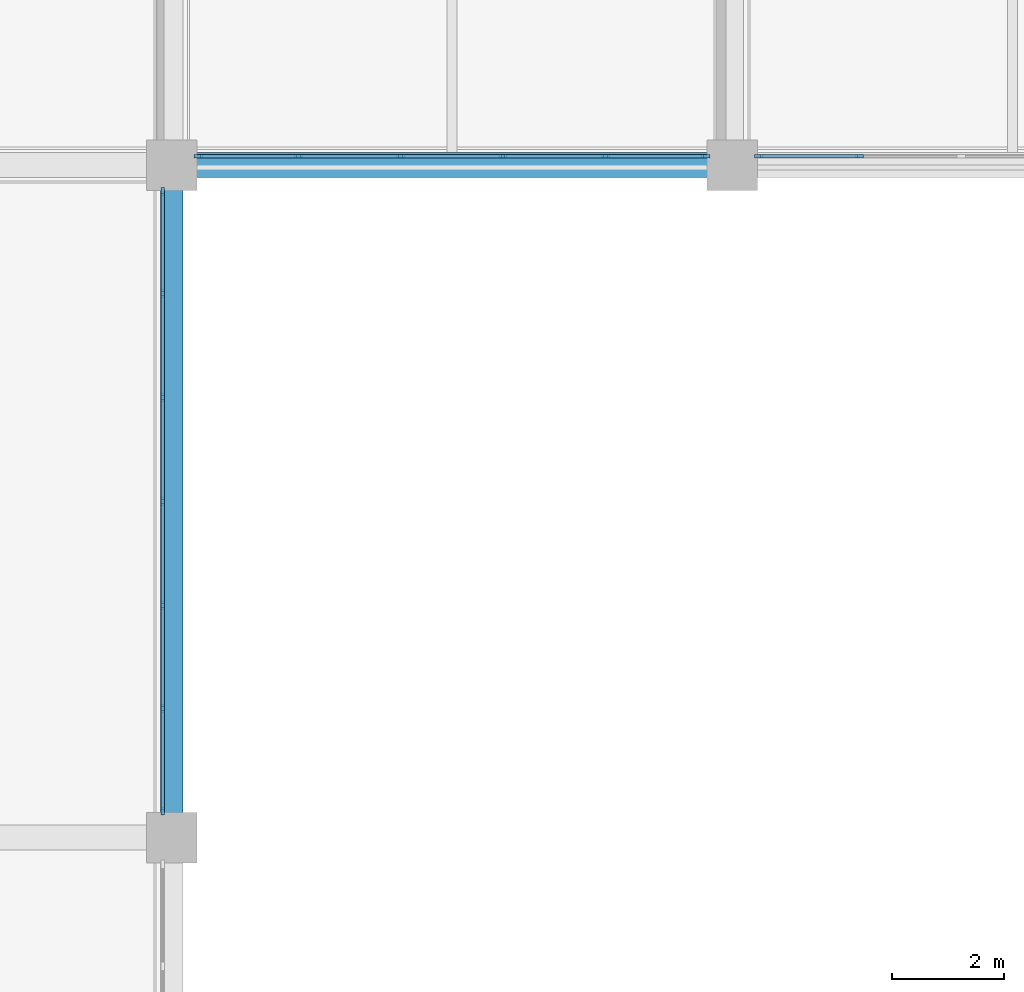
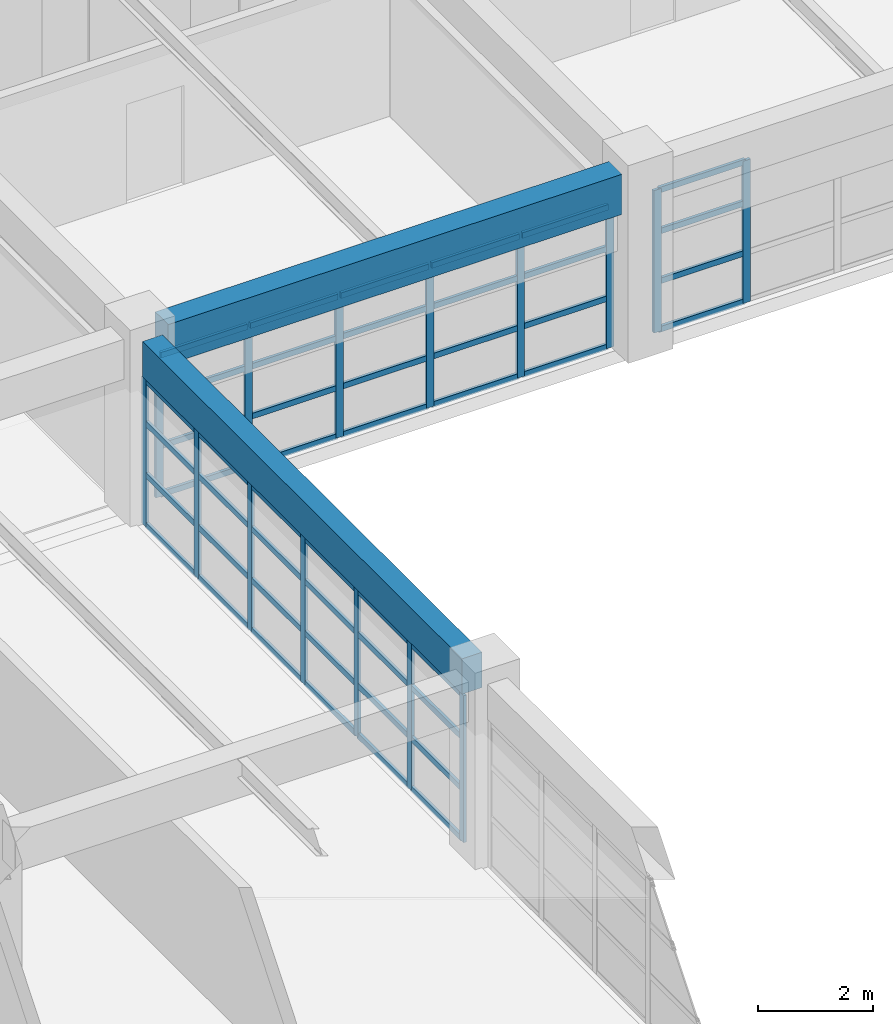
# One storey, part 57 of 100: 63 members, 2 beams, 3 elements without a shape of their own.
"""IFC4 building model written with IfcOpenShell, lengths in metres."""

from ifc_helpers import new_model, si_unit, direction, frame, origin, origin_2d, place, context, subcontext, project, spatial, rectangle, extrude, material, layer, layer_set, material_profile, profile_set, type_object, element, aggregate, save


model = new_model("IFC4")

# Units and contexts
model_context = context("Model", 3, precision=1e-05, world=origin(), true_north=direction((0.0, 1.0)))
body_context = subcontext(model_context, "Body", "Model", "MODEL_VIEW")
ifc_project = project(units=[si_unit("LENGTHUNIT", "METRE"), si_unit("AREAUNIT", "SQUARE_METRE"), si_unit("VOLUMEUNIT", "CUBIC_METRE"), si_unit("PLANEANGLEUNIT", "RADIAN"), si_unit("MASSUNIT", "GRAM", prefix="KILO")], contexts=[model_context])

# Site, building, storey
site_placement = place(None, origin())
site = spatial("IfcSite", under=ifc_project, at=site_placement, CompositionType="ELEMENT")
building_placement = place(site_placement, origin())
building = spatial("IfcBuilding", under=site, at=building_placement, Name="Kivolera Central Railway Station", CompositionType="ELEMENT")
storey_placement = place(building_placement, frame((0.0, 0.0, 5.39990234375)))
storey = spatial("IfcBuildingStorey", under=building, at=storey_placement, Name="L01", CompositionType="ELEMENT", Elevation=5.39990234375)

# Beams
ifc_material_1 = material(Name="Concrete C40/50", Category="concrete")
ifc_material_profile_1 = material_profile(ifc_material_1, rectangle(XDim=0.39990234375, YDim=0.75, at=origin_2d()), Name="RC 400x750")
ifc_profile_set_1 = profile_set([ifc_material_profile_1], Name="Concrete C40/50")
beam_type_1 = type_object("IfcBeamType", Name="BM-RC-400x750", PredefinedType="BEAM", material=ifc_profile_set_1)
beam_1_placement = place(storey_placement, frame((138.0, 102.44189453125, 3.505126953125), z_axis=(0.0, 1.0, 0.0), x_axis=(-1.0, 0.0, 0.0)))
element("IfcBeam", 1, at=beam_1_placement, inside=storey, type_object=beam_type_1, Name="L01 Wing Y-Beam 14:J-K", PredefinedType="BEAM", context=body_context, shape_type="SweptSolid", body=[
    extrude(rectangle(XDim=0.39990234375, YDim=0.75, at=origin_2d()), origin(), (0.0, 0.0, 1.0), 11.1162109375),
])
ifc_material_profile_2 = material_profile(ifc_material_1, rectangle(XDim=0.449951171875, YDim=0.85009765625, at=origin_2d()), Name="RC 450x850")
ifc_profile_set_2 = profile_set([ifc_material_profile_2], Name="Concrete C40/50")
beam_type_2 = type_object("IfcBeamType", Name="BM-RC-450x850", PredefinedType="BEAM", material=ifc_profile_set_2)
beam_2_placement = place(storey_placement, frame((138.44189453125, 114.0, 3.455078125), z_axis=(1.0, 0.0, 0.0), x_axis=(0.0, 1.0, 0.0)))
element("IfcBeam", 2, at=beam_2_placement, inside=storey, type_object=beam_type_2, Name="L01 Wing X-Beam K:14-15", PredefinedType="BEAM", context=body_context, shape_type="SweptSolid", body=[
    extrude(rectangle(XDim=0.449951171875, YDim=0.85009765625, at=origin_2d()), origin(), (0.0, 0.0, 1.0), 9.1162109375),
])

# Curtain wall, members
ifc_material_2 = material(Name="Anodised aluminium", Category="aluminium")
ifc_layer_1 = layer(ifc_material_2, 0.179931640625, Name="Anodised aluminium")
ifc_layer_set_1 = layer_set([ifc_layer_1], Name="Anodised aluminium")
curtain_wall_type_1 = type_object("IfcCurtainWallType", Name="CW-SYS-24", PredefinedType="NOTDEFINED", material=ifc_layer_set_1)
curtain_wall_1_placement = place(storey_placement, origin())
curtain_wall_1 = element("IfcCurtainWall", 3, at=curtain_wall_1_placement, inside=storey, type_object=curtain_wall_type_1, Name="L01 Curtain Wall CW-L01-CRTN-138", PredefinedType="NOTDEFINED")
ifc_material_profile_3 = material_profile(ifc_material_2, rectangle(XDim=0.06005859375, YDim=0.14990234375, at=origin_2d()), Name="ALU MULL 60x150")
ifc_profile_set_3 = profile_set([ifc_material_profile_3], Name="Anodised aluminium")
member_type_1 = type_object("IfcMemberType", Name="CWM-MUL-2", PredefinedType="MULLION", material=ifc_profile_set_3)
member_1_placement = place(storey_placement, frame((147.52490234375, 114.159912109375, -0.0048828125), z_axis=(0.0, 0.0, 1.0), x_axis=(0.0, -1.0, 0.0)))
member_1 = element("IfcMember", 4, at=member_1_placement, type_object=member_type_1, Name="CW-24 mullion 1", PredefinedType="MULLION", context=body_context, shape_type="SweptSolid", body=[
    extrude(rectangle(XDim=0.06005859375, YDim=0.14990234375, at=origin_2d()), origin(), (0.0, 0.0, 1.0), 3.02294921875),
])
member_2_placement = place(storey_placement, frame((145.73291015625, 114.159912109375, -0.0048828125), z_axis=(0.0, 0.0, 1.0), x_axis=(0.0, -1.0, 0.0)))
member_2 = element("IfcMember", 5, at=member_2_placement, type_object=member_type_1, Name="CW-24 mullion 2", PredefinedType="MULLION", context=body_context, shape_type="SweptSolid", body=[
    extrude(rectangle(XDim=0.06005859375, YDim=0.14990234375, at=origin_2d()), origin(), (0.0, 0.0, 1.0), 3.02294921875),
])
member_3_placement = place(storey_placement, frame((143.910888671875, 114.159912109375, -0.0048828125), z_axis=(0.0, 0.0, 1.0), x_axis=(0.0, -1.0, 0.0)))
member_3 = element("IfcMember", 6, at=member_3_placement, type_object=member_type_1, Name="CW-24 mullion 3", PredefinedType="MULLION", context=body_context, shape_type="SweptSolid", body=[
    extrude(rectangle(XDim=0.06005859375, YDim=0.14990234375, at=origin_2d()), origin(), (0.0, 0.0, 1.0), 3.02294921875),
])
member_4_placement = place(storey_placement, frame((142.089111328125, 114.159912109375, -0.0048828125), z_axis=(0.0, 0.0, 1.0), x_axis=(0.0, -1.0, 0.0)))
member_4 = element("IfcMember", 7, at=member_4_placement, type_object=member_type_1, Name="CW-24 mullion 4", PredefinedType="MULLION", context=body_context, shape_type="SweptSolid", body=[
    extrude(rectangle(XDim=0.06005859375, YDim=0.14990234375, at=origin_2d()), origin(), (0.0, 0.0, 1.0), 3.02294921875),
])
member_5_placement = place(storey_placement, frame((140.26708984375, 114.159912109375, -0.0048828125), z_axis=(0.0, 0.0, 1.0), x_axis=(0.0, -1.0, 0.0)))
member_5 = element("IfcMember", 8, at=member_5_placement, type_object=member_type_1, Name="CW-24 mullion 5", PredefinedType="MULLION", context=body_context, shape_type="SweptSolid", body=[
    extrude(rectangle(XDim=0.06005859375, YDim=0.14990234375, at=origin_2d()), origin(), (0.0, 0.0, 1.0), 3.02294921875),
])
member_6_placement = place(storey_placement, frame((138.47509765625, 114.159912109375, -0.0048828125), z_axis=(0.0, 0.0, 1.0), x_axis=(0.0, -1.0, 0.0)))
member_6 = element("IfcMember", 9, at=member_6_placement, type_object=member_type_1, Name="CW-24 mullion 6", PredefinedType="MULLION", context=body_context, shape_type="SweptSolid", body=[
    extrude(rectangle(XDim=0.06005859375, YDim=0.14990234375, at=origin_2d()), origin(), (0.0, 0.0, 1.0), 3.02294921875),
])

curtain_wall_2_placement = place(storey_placement, origin())
curtain_wall_2 = element("IfcCurtainWall", 10, at=curtain_wall_2_placement, inside=storey, type_object=curtain_wall_type_1, Name="L01 Curtain Wall CW-L01-CRTN-148", PredefinedType="NOTDEFINED")
member_7_placement = place(storey_placement, frame((150.26708984375, 114.159912109375, -0.0048828125), z_axis=(0.0, 0.0, 1.0), x_axis=(0.0, -1.0, 0.0)))
member_7 = element("IfcMember", 11, at=member_7_placement, type_object=member_type_1, Name="CW-24 mullion 5", PredefinedType="MULLION", context=body_context, shape_type="SweptSolid", body=[
    extrude(rectangle(XDim=0.06005859375, YDim=0.14990234375, at=origin_2d()), origin(), (0.0, 0.0, 1.0), 3.02294921875),
])
member_8_placement = place(storey_placement, frame((148.47509765625, 114.159912109375, -0.0048828125), z_axis=(0.0, 0.0, 1.0), x_axis=(0.0, -1.0, 0.0)))
member_8 = element("IfcMember", 12, at=member_8_placement, type_object=member_type_1, Name="CW-24 mullion 6", PredefinedType="MULLION", context=body_context, shape_type="SweptSolid", body=[
    extrude(rectangle(XDim=0.06005859375, YDim=0.14990234375, at=origin_2d()), origin(), (0.0, 0.0, 1.0), 3.02294921875),
])

ifc_layer_2 = layer(ifc_material_2, 0.179931640625, Name="Anodised aluminium")
ifc_layer_set_2 = layer_set([ifc_layer_2], Name="Anodised aluminium")
curtain_wall_type_2 = type_object("IfcCurtainWallType", Name="CW-SYS-25", PredefinedType="NOTDEFINED", material=ifc_layer_set_2)
curtain_wall_3_placement = place(storey_placement, origin())
curtain_wall_3 = element("IfcCurtainWall", 13, at=curtain_wall_3_placement, inside=storey, type_object=curtain_wall_type_2, Name="L01 Curtain Wall CW-L01-CRTW-J", PredefinedType="NOTDEFINED")
member_9_placement = place(storey_placement, frame((137.840087890625, 113.52490234375, -0.0048828125), z_axis=(0.0, 0.0, 1.0), x_axis=(1.0, 0.0, 0.0)))
member_9 = element("IfcMember", 14, at=member_9_placement, type_object=member_type_1, Name="CW-25 mullion 1", PredefinedType="MULLION", context=body_context, shape_type="SweptSolid", body=[
    extrude(rectangle(XDim=0.06005859375, YDim=0.14990234375, at=origin_2d()), origin(), (0.0, 0.0, 1.0), 3.123046875),
])
member_10_placement = place(storey_placement, frame((137.840087890625, 111.703369140625, -0.0048828125), z_axis=(0.0, 0.0, 1.0), x_axis=(1.0, 0.0, 0.0)))
member_10 = element("IfcMember", 15, at=member_10_placement, type_object=member_type_1, Name="CW-25 mullion 2", PredefinedType="MULLION", context=body_context, shape_type="SweptSolid", body=[
    extrude(rectangle(XDim=0.06005859375, YDim=0.14990234375, at=origin_2d()), origin(), (0.0, 0.0, 1.0), 3.123046875),
])
member_11_placement = place(storey_placement, frame((137.840087890625, 109.8515625, -0.0048828125), z_axis=(0.0, 0.0, 1.0), x_axis=(1.0, 0.0, 0.0)))
member_11 = element("IfcMember", 16, at=member_11_placement, type_object=member_type_1, Name="CW-25 mullion 3", PredefinedType="MULLION", context=body_context, shape_type="SweptSolid", body=[
    extrude(rectangle(XDim=0.06005859375, YDim=0.14990234375, at=origin_2d()), origin(), (0.0, 0.0, 1.0), 3.123046875),
])
member_12_placement = place(storey_placement, frame((137.840087890625, 108.0, -0.0048828125), z_axis=(0.0, 0.0, 1.0), x_axis=(1.0, 0.0, 0.0)))
member_12 = element("IfcMember", 17, at=member_12_placement, type_object=member_type_1, Name="CW-25 mullion 4", PredefinedType="MULLION", context=body_context, shape_type="SweptSolid", body=[
    extrude(rectangle(XDim=0.06005859375, YDim=0.14990234375, at=origin_2d()), origin(), (0.0, 0.0, 1.0), 3.123046875),
])
member_13_placement = place(storey_placement, frame((137.840087890625, 106.1484375, -0.0048828125), z_axis=(0.0, 0.0, 1.0), x_axis=(1.0, 0.0, 0.0)))
member_13 = element("IfcMember", 18, at=member_13_placement, type_object=member_type_1, Name="CW-25 mullion 5", PredefinedType="MULLION", context=body_context, shape_type="SweptSolid", body=[
    extrude(rectangle(XDim=0.06005859375, YDim=0.14990234375, at=origin_2d()), origin(), (0.0, 0.0, 1.0), 3.123046875),
])
member_14_placement = place(storey_placement, frame((137.840087890625, 104.296630859375, -0.0048828125), z_axis=(0.0, 0.0, 1.0), x_axis=(1.0, 0.0, 0.0)))
member_14 = element("IfcMember", 19, at=member_14_placement, type_object=member_type_1, Name="CW-25 mullion 6", PredefinedType="MULLION", context=body_context, shape_type="SweptSolid", body=[
    extrude(rectangle(XDim=0.06005859375, YDim=0.14990234375, at=origin_2d()), origin(), (0.0, 0.0, 1.0), 3.123046875),
])
member_15_placement = place(storey_placement, frame((137.840087890625, 102.47509765625, -0.0048828125), z_axis=(0.0, 0.0, 1.0), x_axis=(1.0, 0.0, 0.0)))
member_15 = element("IfcMember", 20, at=member_15_placement, type_object=member_type_1, Name="CW-25 mullion 7", PredefinedType="MULLION", context=body_context, shape_type="SweptSolid", body=[
    extrude(rectangle(XDim=0.06005859375, YDim=0.14990234375, at=origin_2d()), origin(), (0.0, 0.0, 1.0), 3.123046875),
])

# Member
ifc_material_profile_4 = material_profile(ifc_material_2, rectangle(XDim=0.06005859375, YDim=0.1201171875, at=origin_2d()), Name="ALU TRAN 60x120")
ifc_profile_set_4 = profile_set([ifc_material_profile_4], Name="Anodised aluminium")
member_type_2 = type_object("IfcMemberType", Name="CWM-TRN-2", PredefinedType="USERDEFINED", material=ifc_profile_set_4)
member_16_placement = place(storey_placement, frame((147.4951171875, 114.159912109375, 0.030029296875), z_axis=(-1.0, 0.0, 0.0), x_axis=(0.0, -1.0, 0.0)))
member_16 = element("IfcMember", 21, at=member_16_placement, type_object=member_type_2, Name="CW-24 transom 1.1", ObjectType="TRANSOM", PredefinedType="USERDEFINED", context=body_context, shape_type="SweptSolid", body=[
    extrude(rectangle(XDim=0.06005859375, YDim=0.1201171875, at=origin_2d()), origin(), (0.0, 0.0, 1.0), 1.732177734375),
])

member_17_placement = place(storey_placement, frame((147.4951171875, 114.159912109375, 1.056396484375), z_axis=(-1.0, 0.0, 0.0), x_axis=(0.0, -1.0, 0.0)))
member_17 = element("IfcMember", 22, at=member_17_placement, type_object=member_type_2, Name="CW-24 transom 1.2", ObjectType="TRANSOM", PredefinedType="USERDEFINED", context=body_context, shape_type="SweptSolid", body=[
    extrude(rectangle(XDim=0.06005859375, YDim=0.1201171875, at=origin_2d()), origin(), (0.0, 0.0, 1.0), 1.732177734375),
])

member_18_placement = place(storey_placement, frame((147.4951171875, 114.159912109375, 2.11279296875), z_axis=(-1.0, 0.0, 0.0), x_axis=(0.0, -1.0, 0.0)))
member_18 = element("IfcMember", 23, at=member_18_placement, type_object=member_type_2, Name="CW-24 transom 1.3", ObjectType="TRANSOM", PredefinedType="USERDEFINED", context=body_context, shape_type="SweptSolid", body=[
    extrude(rectangle(XDim=0.06005859375, YDim=0.1201171875, at=origin_2d()), origin(), (0.0, 0.0, 1.0), 1.732177734375),
])

member_19_placement = place(storey_placement, frame((147.4951171875, 114.159912109375, 2.988037109375), z_axis=(-1.0, 0.0, 0.0), x_axis=(0.0, -1.0, 0.0)))
member_19 = element("IfcMember", 24, at=member_19_placement, type_object=member_type_2, Name="CW-24 transom 1.4", ObjectType="TRANSOM", PredefinedType="USERDEFINED", context=body_context, shape_type="SweptSolid", body=[
    extrude(rectangle(XDim=0.06005859375, YDim=0.1201171875, at=origin_2d()), origin(), (0.0, 0.0, 1.0), 1.732177734375),
])

member_20_placement = place(storey_placement, frame((145.702880859375, 114.159912109375, 0.030029296875), z_axis=(-1.0, 0.0, 0.0), x_axis=(0.0, -1.0, 0.0)))
member_20 = element("IfcMember", 25, at=member_20_placement, type_object=member_type_2, Name="CW-24 transom 2.1", ObjectType="TRANSOM", PredefinedType="USERDEFINED", context=body_context, shape_type="SweptSolid", body=[
    extrude(rectangle(XDim=0.06005859375, YDim=0.1201171875, at=origin_2d()), origin(), (0.0, 0.0, 1.0), 1.761962890625),
])

member_21_placement = place(storey_placement, frame((145.702880859375, 114.159912109375, 1.056396484375), z_axis=(-1.0, 0.0, 0.0), x_axis=(0.0, -1.0, 0.0)))
member_21 = element("IfcMember", 26, at=member_21_placement, type_object=member_type_2, Name="CW-24 transom 2.2", ObjectType="TRANSOM", PredefinedType="USERDEFINED", context=body_context, shape_type="SweptSolid", body=[
    extrude(rectangle(XDim=0.06005859375, YDim=0.1201171875, at=origin_2d()), origin(), (0.0, 0.0, 1.0), 1.761962890625),
])

member_22_placement = place(storey_placement, frame((145.702880859375, 114.159912109375, 2.11279296875), z_axis=(-1.0, 0.0, 0.0), x_axis=(0.0, -1.0, 0.0)))
member_22 = element("IfcMember", 27, at=member_22_placement, type_object=member_type_2, Name="CW-24 transom 2.3", ObjectType="TRANSOM", PredefinedType="USERDEFINED", context=body_context, shape_type="SweptSolid", body=[
    extrude(rectangle(XDim=0.06005859375, YDim=0.1201171875, at=origin_2d()), origin(), (0.0, 0.0, 1.0), 1.761962890625),
])

member_23_placement = place(storey_placement, frame((145.702880859375, 114.159912109375, 2.988037109375), z_axis=(-1.0, 0.0, 0.0), x_axis=(0.0, -1.0, 0.0)))
member_23 = element("IfcMember", 28, at=member_23_placement, type_object=member_type_2, Name="CW-24 transom 2.4", ObjectType="TRANSOM", PredefinedType="USERDEFINED", context=body_context, shape_type="SweptSolid", body=[
    extrude(rectangle(XDim=0.06005859375, YDim=0.1201171875, at=origin_2d()), origin(), (0.0, 0.0, 1.0), 1.761962890625),
])

member_24_placement = place(storey_placement, frame((143.881103515625, 114.159912109375, 0.030029296875), z_axis=(-1.0, 0.0, 0.0), x_axis=(0.0, -1.0, 0.0)))
member_24 = element("IfcMember", 29, at=member_24_placement, type_object=member_type_2, Name="CW-24 transom 3.1", ObjectType="TRANSOM", PredefinedType="USERDEFINED", context=body_context, shape_type="SweptSolid", body=[
    extrude(rectangle(XDim=0.06005859375, YDim=0.1201171875, at=origin_2d()), origin(), (0.0, 0.0, 1.0), 1.76220703125),
])

member_25_placement = place(storey_placement, frame((143.881103515625, 114.159912109375, 1.056396484375), z_axis=(-1.0, 0.0, 0.0), x_axis=(0.0, -1.0, 0.0)))
member_25 = element("IfcMember", 30, at=member_25_placement, type_object=member_type_2, Name="CW-24 transom 3.2", ObjectType="TRANSOM", PredefinedType="USERDEFINED", context=body_context, shape_type="SweptSolid", body=[
    extrude(rectangle(XDim=0.06005859375, YDim=0.1201171875, at=origin_2d()), origin(), (0.0, 0.0, 1.0), 1.76220703125),
])

member_26_placement = place(storey_placement, frame((143.881103515625, 114.159912109375, 2.11279296875), z_axis=(-1.0, 0.0, 0.0), x_axis=(0.0, -1.0, 0.0)))
member_26 = element("IfcMember", 31, at=member_26_placement, type_object=member_type_2, Name="CW-24 transom 3.3", ObjectType="TRANSOM", PredefinedType="USERDEFINED", context=body_context, shape_type="SweptSolid", body=[
    extrude(rectangle(XDim=0.06005859375, YDim=0.1201171875, at=origin_2d()), origin(), (0.0, 0.0, 1.0), 1.76220703125),
])

member_27_placement = place(storey_placement, frame((143.881103515625, 114.159912109375, 2.988037109375), z_axis=(-1.0, 0.0, 0.0), x_axis=(0.0, -1.0, 0.0)))
member_27 = element("IfcMember", 32, at=member_27_placement, type_object=member_type_2, Name="CW-24 transom 3.4", ObjectType="TRANSOM", PredefinedType="USERDEFINED", context=body_context, shape_type="SweptSolid", body=[
    extrude(rectangle(XDim=0.06005859375, YDim=0.1201171875, at=origin_2d()), origin(), (0.0, 0.0, 1.0), 1.76220703125),
])

member_28_placement = place(storey_placement, frame((142.05908203125, 114.159912109375, 0.030029296875), z_axis=(-1.0, 0.0, 0.0), x_axis=(0.0, -1.0, 0.0)))
member_28 = element("IfcMember", 33, at=member_28_placement, type_object=member_type_2, Name="CW-24 transom 4.1", ObjectType="TRANSOM", PredefinedType="USERDEFINED", context=body_context, shape_type="SweptSolid", body=[
    extrude(rectangle(XDim=0.06005859375, YDim=0.1201171875, at=origin_2d()), origin(), (0.0, 0.0, 1.0), 1.761962890625),
])

member_29_placement = place(storey_placement, frame((142.05908203125, 114.159912109375, 1.056396484375), z_axis=(-1.0, 0.0, 0.0), x_axis=(0.0, -1.0, 0.0)))
member_29 = element("IfcMember", 34, at=member_29_placement, type_object=member_type_2, Name="CW-24 transom 4.2", ObjectType="TRANSOM", PredefinedType="USERDEFINED", context=body_context, shape_type="SweptSolid", body=[
    extrude(rectangle(XDim=0.06005859375, YDim=0.1201171875, at=origin_2d()), origin(), (0.0, 0.0, 1.0), 1.761962890625),
])

member_30_placement = place(storey_placement, frame((142.05908203125, 114.159912109375, 2.11279296875), z_axis=(-1.0, 0.0, 0.0), x_axis=(0.0, -1.0, 0.0)))
member_30 = element("IfcMember", 35, at=member_30_placement, type_object=member_type_2, Name="CW-24 transom 4.3", ObjectType="TRANSOM", PredefinedType="USERDEFINED", context=body_context, shape_type="SweptSolid", body=[
    extrude(rectangle(XDim=0.06005859375, YDim=0.1201171875, at=origin_2d()), origin(), (0.0, 0.0, 1.0), 1.761962890625),
])

member_31_placement = place(storey_placement, frame((142.05908203125, 114.159912109375, 2.988037109375), z_axis=(-1.0, 0.0, 0.0), x_axis=(0.0, -1.0, 0.0)))
member_31 = element("IfcMember", 36, at=member_31_placement, type_object=member_type_2, Name="CW-24 transom 4.4", ObjectType="TRANSOM", PredefinedType="USERDEFINED", context=body_context, shape_type="SweptSolid", body=[
    extrude(rectangle(XDim=0.06005859375, YDim=0.1201171875, at=origin_2d()), origin(), (0.0, 0.0, 1.0), 1.761962890625),
])

member_32_placement = place(storey_placement, frame((140.237060546875, 114.159912109375, 0.030029296875), z_axis=(-1.0, 0.0, 0.0), x_axis=(0.0, -1.0, 0.0)))
member_32 = element("IfcMember", 37, at=member_32_placement, type_object=member_type_2, Name="CW-24 transom 5.1", ObjectType="TRANSOM", PredefinedType="USERDEFINED", context=body_context, shape_type="SweptSolid", body=[
    extrude(rectangle(XDim=0.06005859375, YDim=0.1201171875, at=origin_2d()), origin(), (0.0, 0.0, 1.0), 1.732177734375),
])

member_33_placement = place(storey_placement, frame((140.237060546875, 114.159912109375, 1.056396484375), z_axis=(-1.0, 0.0, 0.0), x_axis=(0.0, -1.0, 0.0)))
member_33 = element("IfcMember", 38, at=member_33_placement, type_object=member_type_2, Name="CW-24 transom 5.2", ObjectType="TRANSOM", PredefinedType="USERDEFINED", context=body_context, shape_type="SweptSolid", body=[
    extrude(rectangle(XDim=0.06005859375, YDim=0.1201171875, at=origin_2d()), origin(), (0.0, 0.0, 1.0), 1.732177734375),
])

member_34_placement = place(storey_placement, frame((140.237060546875, 114.159912109375, 2.11279296875), z_axis=(-1.0, 0.0, 0.0), x_axis=(0.0, -1.0, 0.0)))
member_34 = element("IfcMember", 39, at=member_34_placement, type_object=member_type_2, Name="CW-24 transom 5.3", ObjectType="TRANSOM", PredefinedType="USERDEFINED", context=body_context, shape_type="SweptSolid", body=[
    extrude(rectangle(XDim=0.06005859375, YDim=0.1201171875, at=origin_2d()), origin(), (0.0, 0.0, 1.0), 1.732177734375),
])

member_35_placement = place(storey_placement, frame((140.237060546875, 114.159912109375, 2.988037109375), z_axis=(-1.0, 0.0, 0.0), x_axis=(0.0, -1.0, 0.0)))
member_35 = element("IfcMember", 40, at=member_35_placement, type_object=member_type_2, Name="CW-24 transom 5.4", ObjectType="TRANSOM", PredefinedType="USERDEFINED", context=body_context, shape_type="SweptSolid", body=[
    extrude(rectangle(XDim=0.06005859375, YDim=0.1201171875, at=origin_2d()), origin(), (0.0, 0.0, 1.0), 1.732177734375),
])

aggregate(curtain_wall_1, [member_1, member_2, member_3, member_4, member_5, member_6, member_16, member_17, member_18, member_19, member_20, member_21, member_22, member_23, member_24, member_25, member_26, member_27, member_28, member_29, member_30, member_31, member_32, member_33, member_34, member_35])

member_36_placement = place(storey_placement, frame((150.237060546875, 114.159912109375, 0.030029296875), z_axis=(-1.0, 0.0, 0.0), x_axis=(0.0, -1.0, 0.0)))
member_36 = element("IfcMember", 41, at=member_36_placement, type_object=member_type_2, Name="CW-24 transom 5.1", ObjectType="TRANSOM", PredefinedType="USERDEFINED", context=body_context, shape_type="SweptSolid", body=[
    extrude(rectangle(XDim=0.06005859375, YDim=0.1201171875, at=origin_2d()), origin(), (0.0, 0.0, 1.0), 1.732177734375),
])

member_37_placement = place(storey_placement, frame((150.237060546875, 114.159912109375, 1.056396484375), z_axis=(-1.0, 0.0, 0.0), x_axis=(0.0, -1.0, 0.0)))
member_37 = element("IfcMember", 42, at=member_37_placement, type_object=member_type_2, Name="CW-24 transom 5.2", ObjectType="TRANSOM", PredefinedType="USERDEFINED", context=body_context, shape_type="SweptSolid", body=[
    extrude(rectangle(XDim=0.06005859375, YDim=0.1201171875, at=origin_2d()), origin(), (0.0, 0.0, 1.0), 1.732177734375),
])

member_38_placement = place(storey_placement, frame((150.237060546875, 114.159912109375, 2.11279296875), z_axis=(-1.0, 0.0, 0.0), x_axis=(0.0, -1.0, 0.0)))
member_38 = element("IfcMember", 43, at=member_38_placement, type_object=member_type_2, Name="CW-24 transom 5.3", ObjectType="TRANSOM", PredefinedType="USERDEFINED", context=body_context, shape_type="SweptSolid", body=[
    extrude(rectangle(XDim=0.06005859375, YDim=0.1201171875, at=origin_2d()), origin(), (0.0, 0.0, 1.0), 1.732177734375),
])

member_39_placement = place(storey_placement, frame((150.237060546875, 114.159912109375, 2.988037109375), z_axis=(-1.0, 0.0, 0.0), x_axis=(0.0, -1.0, 0.0)))
member_39 = element("IfcMember", 44, at=member_39_placement, type_object=member_type_2, Name="CW-24 transom 5.4", ObjectType="TRANSOM", PredefinedType="USERDEFINED", context=body_context, shape_type="SweptSolid", body=[
    extrude(rectangle(XDim=0.06005859375, YDim=0.1201171875, at=origin_2d()), origin(), (0.0, 0.0, 1.0), 1.732177734375),
])

aggregate(curtain_wall_2, [member_7, member_8, member_36, member_37, member_38, member_39])

member_40_placement = place(storey_placement, frame((137.840087890625, 113.4951171875, 0.030029296875), z_axis=(0.0, -1.0, 0.0), x_axis=(1.0, 0.0, 0.0)))
member_40 = element("IfcMember", 45, at=member_40_placement, type_object=member_type_2, Name="CW-25 transom 1.1", ObjectType="TRANSOM", PredefinedType="USERDEFINED", context=body_context, shape_type="SweptSolid", body=[
    extrude(rectangle(XDim=0.06005859375, YDim=0.1201171875, at=origin_2d()), origin(), (0.0, 0.0, 1.0), 1.76171875),
])

member_41_placement = place(storey_placement, frame((137.840087890625, 113.4951171875, 1.09130859375), z_axis=(0.0, -1.0, 0.0), x_axis=(1.0, 0.0, 0.0)))
member_41 = element("IfcMember", 46, at=member_41_placement, type_object=member_type_2, Name="CW-25 transom 1.2", ObjectType="TRANSOM", PredefinedType="USERDEFINED", context=body_context, shape_type="SweptSolid", body=[
    extrude(rectangle(XDim=0.06005859375, YDim=0.1201171875, at=origin_2d()), origin(), (0.0, 0.0, 1.0), 1.76171875),
])

member_42_placement = place(storey_placement, frame((137.840087890625, 113.4951171875, 2.1826171875), z_axis=(0.0, -1.0, 0.0), x_axis=(1.0, 0.0, 0.0)))
member_42 = element("IfcMember", 47, at=member_42_placement, type_object=member_type_2, Name="CW-25 transom 1.3", ObjectType="TRANSOM", PredefinedType="USERDEFINED", context=body_context, shape_type="SweptSolid", body=[
    extrude(rectangle(XDim=0.06005859375, YDim=0.1201171875, at=origin_2d()), origin(), (0.0, 0.0, 1.0), 1.76171875),
])

member_43_placement = place(storey_placement, frame((137.840087890625, 113.4951171875, 3.088134765625), z_axis=(0.0, -1.0, 0.0), x_axis=(1.0, 0.0, 0.0)))
member_43 = element("IfcMember", 48, at=member_43_placement, type_object=member_type_2, Name="CW-25 transom 1.4", ObjectType="TRANSOM", PredefinedType="USERDEFINED", context=body_context, shape_type="SweptSolid", body=[
    extrude(rectangle(XDim=0.06005859375, YDim=0.1201171875, at=origin_2d()), origin(), (0.0, 0.0, 1.0), 1.76171875),
])

member_44_placement = place(storey_placement, frame((137.840087890625, 111.67333984375, 0.030029296875), z_axis=(0.0, -1.0, 0.0), x_axis=(1.0, 0.0, 0.0)))
member_44 = element("IfcMember", 49, at=member_44_placement, type_object=member_type_2, Name="CW-25 transom 2.1", ObjectType="TRANSOM", PredefinedType="USERDEFINED", context=body_context, shape_type="SweptSolid", body=[
    extrude(rectangle(XDim=0.06005859375, YDim=0.1201171875, at=origin_2d()), origin(), (0.0, 0.0, 1.0), 1.791748046875),
])

member_45_placement = place(storey_placement, frame((137.840087890625, 111.67333984375, 1.09130859375), z_axis=(0.0, -1.0, 0.0), x_axis=(1.0, 0.0, 0.0)))
member_45 = element("IfcMember", 50, at=member_45_placement, type_object=member_type_2, Name="CW-25 transom 2.2", ObjectType="TRANSOM", PredefinedType="USERDEFINED", context=body_context, shape_type="SweptSolid", body=[
    extrude(rectangle(XDim=0.06005859375, YDim=0.1201171875, at=origin_2d()), origin(), (0.0, 0.0, 1.0), 1.791748046875),
])

member_46_placement = place(storey_placement, frame((137.840087890625, 111.67333984375, 2.1826171875), z_axis=(0.0, -1.0, 0.0), x_axis=(1.0, 0.0, 0.0)))
member_46 = element("IfcMember", 51, at=member_46_placement, type_object=member_type_2, Name="CW-25 transom 2.3", ObjectType="TRANSOM", PredefinedType="USERDEFINED", context=body_context, shape_type="SweptSolid", body=[
    extrude(rectangle(XDim=0.06005859375, YDim=0.1201171875, at=origin_2d()), origin(), (0.0, 0.0, 1.0), 1.791748046875),
])

member_47_placement = place(storey_placement, frame((137.840087890625, 111.67333984375, 3.088134765625), z_axis=(0.0, -1.0, 0.0), x_axis=(1.0, 0.0, 0.0)))
member_47 = element("IfcMember", 52, at=member_47_placement, type_object=member_type_2, Name="CW-25 transom 2.4", ObjectType="TRANSOM", PredefinedType="USERDEFINED", context=body_context, shape_type="SweptSolid", body=[
    extrude(rectangle(XDim=0.06005859375, YDim=0.1201171875, at=origin_2d()), origin(), (0.0, 0.0, 1.0), 1.791748046875),
])

member_48_placement = place(storey_placement, frame((137.840087890625, 109.82177734375, 0.030029296875), z_axis=(0.0, -1.0, 0.0), x_axis=(1.0, 0.0, 0.0)))
member_48 = element("IfcMember", 53, at=member_48_placement, type_object=member_type_2, Name="CW-25 transom 3.1", ObjectType="TRANSOM", PredefinedType="USERDEFINED", context=body_context, shape_type="SweptSolid", body=[
    extrude(rectangle(XDim=0.06005859375, YDim=0.1201171875, at=origin_2d()), origin(), (0.0, 0.0, 1.0), 1.791748046875),
])

member_49_placement = place(storey_placement, frame((137.840087890625, 109.82177734375, 1.09130859375), z_axis=(0.0, -1.0, 0.0), x_axis=(1.0, 0.0, 0.0)))
member_49 = element("IfcMember", 54, at=member_49_placement, type_object=member_type_2, Name="CW-25 transom 3.2", ObjectType="TRANSOM", PredefinedType="USERDEFINED", context=body_context, shape_type="SweptSolid", body=[
    extrude(rectangle(XDim=0.06005859375, YDim=0.1201171875, at=origin_2d()), origin(), (0.0, 0.0, 1.0), 1.791748046875),
])

member_50_placement = place(storey_placement, frame((137.840087890625, 109.82177734375, 2.1826171875), z_axis=(0.0, -1.0, 0.0), x_axis=(1.0, 0.0, 0.0)))
member_50 = element("IfcMember", 55, at=member_50_placement, type_object=member_type_2, Name="CW-25 transom 3.3", ObjectType="TRANSOM", PredefinedType="USERDEFINED", context=body_context, shape_type="SweptSolid", body=[
    extrude(rectangle(XDim=0.06005859375, YDim=0.1201171875, at=origin_2d()), origin(), (0.0, 0.0, 1.0), 1.791748046875),
])

member_51_placement = place(storey_placement, frame((137.840087890625, 109.82177734375, 3.088134765625), z_axis=(0.0, -1.0, 0.0), x_axis=(1.0, 0.0, 0.0)))
member_51 = element("IfcMember", 56, at=member_51_placement, type_object=member_type_2, Name="CW-25 transom 3.4", ObjectType="TRANSOM", PredefinedType="USERDEFINED", context=body_context, shape_type="SweptSolid", body=[
    extrude(rectangle(XDim=0.06005859375, YDim=0.1201171875, at=origin_2d()), origin(), (0.0, 0.0, 1.0), 1.791748046875),
])

member_52_placement = place(storey_placement, frame((137.840087890625, 107.969970703125, 0.030029296875), z_axis=(0.0, -1.0, 0.0), x_axis=(1.0, 0.0, 0.0)))
member_52 = element("IfcMember", 57, at=member_52_placement, type_object=member_type_2, Name="CW-25 transom 4.1", ObjectType="TRANSOM", PredefinedType="USERDEFINED", context=body_context, shape_type="SweptSolid", body=[
    extrude(rectangle(XDim=0.06005859375, YDim=0.1201171875, at=origin_2d()), origin(), (0.0, 0.0, 1.0), 1.791748046875),
])

member_53_placement = place(storey_placement, frame((137.840087890625, 107.969970703125, 1.09130859375), z_axis=(0.0, -1.0, 0.0), x_axis=(1.0, 0.0, 0.0)))
member_53 = element("IfcMember", 58, at=member_53_placement, type_object=member_type_2, Name="CW-25 transom 4.2", ObjectType="TRANSOM", PredefinedType="USERDEFINED", context=body_context, shape_type="SweptSolid", body=[
    extrude(rectangle(XDim=0.06005859375, YDim=0.1201171875, at=origin_2d()), origin(), (0.0, 0.0, 1.0), 1.791748046875),
])

member_54_placement = place(storey_placement, frame((137.840087890625, 107.969970703125, 2.1826171875), z_axis=(0.0, -1.0, 0.0), x_axis=(1.0, 0.0, 0.0)))
member_54 = element("IfcMember", 59, at=member_54_placement, type_object=member_type_2, Name="CW-25 transom 4.3", ObjectType="TRANSOM", PredefinedType="USERDEFINED", context=body_context, shape_type="SweptSolid", body=[
    extrude(rectangle(XDim=0.06005859375, YDim=0.1201171875, at=origin_2d()), origin(), (0.0, 0.0, 1.0), 1.791748046875),
])

member_55_placement = place(storey_placement, frame((137.840087890625, 107.969970703125, 3.088134765625), z_axis=(0.0, -1.0, 0.0), x_axis=(1.0, 0.0, 0.0)))
member_55 = element("IfcMember", 60, at=member_55_placement, type_object=member_type_2, Name="CW-25 transom 4.4", ObjectType="TRANSOM", PredefinedType="USERDEFINED", context=body_context, shape_type="SweptSolid", body=[
    extrude(rectangle(XDim=0.06005859375, YDim=0.1201171875, at=origin_2d()), origin(), (0.0, 0.0, 1.0), 1.791748046875),
])

member_56_placement = place(storey_placement, frame((137.840087890625, 106.118408203125, 0.030029296875), z_axis=(0.0, -1.0, 0.0), x_axis=(1.0, 0.0, 0.0)))
member_56 = element("IfcMember", 61, at=member_56_placement, type_object=member_type_2, Name="CW-25 transom 5.1", ObjectType="TRANSOM", PredefinedType="USERDEFINED", context=body_context, shape_type="SweptSolid", body=[
    extrude(rectangle(XDim=0.06005859375, YDim=0.1201171875, at=origin_2d()), origin(), (0.0, 0.0, 1.0), 1.791748046875),
])

member_57_placement = place(storey_placement, frame((137.840087890625, 106.118408203125, 1.09130859375), z_axis=(0.0, -1.0, 0.0), x_axis=(1.0, 0.0, 0.0)))
member_57 = element("IfcMember", 62, at=member_57_placement, type_object=member_type_2, Name="CW-25 transom 5.2", ObjectType="TRANSOM", PredefinedType="USERDEFINED", context=body_context, shape_type="SweptSolid", body=[
    extrude(rectangle(XDim=0.06005859375, YDim=0.1201171875, at=origin_2d()), origin(), (0.0, 0.0, 1.0), 1.791748046875),
])

member_58_placement = place(storey_placement, frame((137.840087890625, 106.118408203125, 2.1826171875), z_axis=(0.0, -1.0, 0.0), x_axis=(1.0, 0.0, 0.0)))
member_58 = element("IfcMember", 63, at=member_58_placement, type_object=member_type_2, Name="CW-25 transom 5.3", ObjectType="TRANSOM", PredefinedType="USERDEFINED", context=body_context, shape_type="SweptSolid", body=[
    extrude(rectangle(XDim=0.06005859375, YDim=0.1201171875, at=origin_2d()), origin(), (0.0, 0.0, 1.0), 1.791748046875),
])

member_59_placement = place(storey_placement, frame((137.840087890625, 106.118408203125, 3.088134765625), z_axis=(0.0, -1.0, 0.0), x_axis=(1.0, 0.0, 0.0)))
member_59 = element("IfcMember", 64, at=member_59_placement, type_object=member_type_2, Name="CW-25 transom 5.4", ObjectType="TRANSOM", PredefinedType="USERDEFINED", context=body_context, shape_type="SweptSolid", body=[
    extrude(rectangle(XDim=0.06005859375, YDim=0.1201171875, at=origin_2d()), origin(), (0.0, 0.0, 1.0), 1.791748046875),
])

member_60_placement = place(storey_placement, frame((137.840087890625, 104.2666015625, 0.030029296875), z_axis=(0.0, -1.0, 0.0), x_axis=(1.0, 0.0, 0.0)))
member_60 = element("IfcMember", 65, at=member_60_placement, type_object=member_type_2, Name="CW-25 transom 6.1", ObjectType="TRANSOM", PredefinedType="USERDEFINED", context=body_context, shape_type="SweptSolid", body=[
    extrude(rectangle(XDim=0.06005859375, YDim=0.1201171875, at=origin_2d()), origin(), (0.0, 0.0, 1.0), 1.76171875),
])

member_61_placement = place(storey_placement, frame((137.840087890625, 104.2666015625, 1.09130859375), z_axis=(0.0, -1.0, 0.0), x_axis=(1.0, 0.0, 0.0)))
member_61 = element("IfcMember", 66, at=member_61_placement, type_object=member_type_2, Name="CW-25 transom 6.2", ObjectType="TRANSOM", PredefinedType="USERDEFINED", context=body_context, shape_type="SweptSolid", body=[
    extrude(rectangle(XDim=0.06005859375, YDim=0.1201171875, at=origin_2d()), origin(), (0.0, 0.0, 1.0), 1.76171875),
])

member_62_placement = place(storey_placement, frame((137.840087890625, 104.2666015625, 2.1826171875), z_axis=(0.0, -1.0, 0.0), x_axis=(1.0, 0.0, 0.0)))
member_62 = element("IfcMember", 67, at=member_62_placement, type_object=member_type_2, Name="CW-25 transom 6.3", ObjectType="TRANSOM", PredefinedType="USERDEFINED", context=body_context, shape_type="SweptSolid", body=[
    extrude(rectangle(XDim=0.06005859375, YDim=0.1201171875, at=origin_2d()), origin(), (0.0, 0.0, 1.0), 1.76171875),
])

member_63_placement = place(storey_placement, frame((137.840087890625, 104.2666015625, 3.088134765625), z_axis=(0.0, -1.0, 0.0), x_axis=(1.0, 0.0, 0.0)))
member_63 = element("IfcMember", 68, at=member_63_placement, type_object=member_type_2, Name="CW-25 transom 6.4", ObjectType="TRANSOM", PredefinedType="USERDEFINED", context=body_context, shape_type="SweptSolid", body=[
    extrude(rectangle(XDim=0.06005859375, YDim=0.1201171875, at=origin_2d()), origin(), (0.0, 0.0, 1.0), 1.76171875),
])

aggregate(curtain_wall_3, [member_9, member_10, member_11, member_12, member_13, member_14, member_15, member_40, member_41, member_42, member_43, member_44, member_45, member_46, member_47, member_48, member_49, member_50, member_51, member_52, member_53, member_54, member_55, member_56, member_57, member_58, member_59, member_60, member_61, member_62, member_63])

save(model, "model.ifc")
